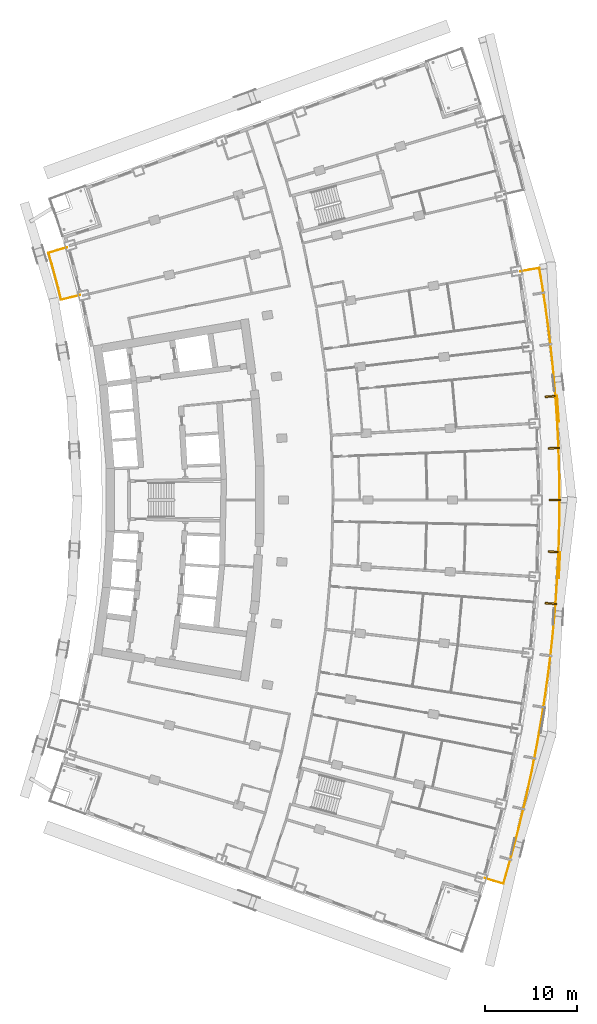
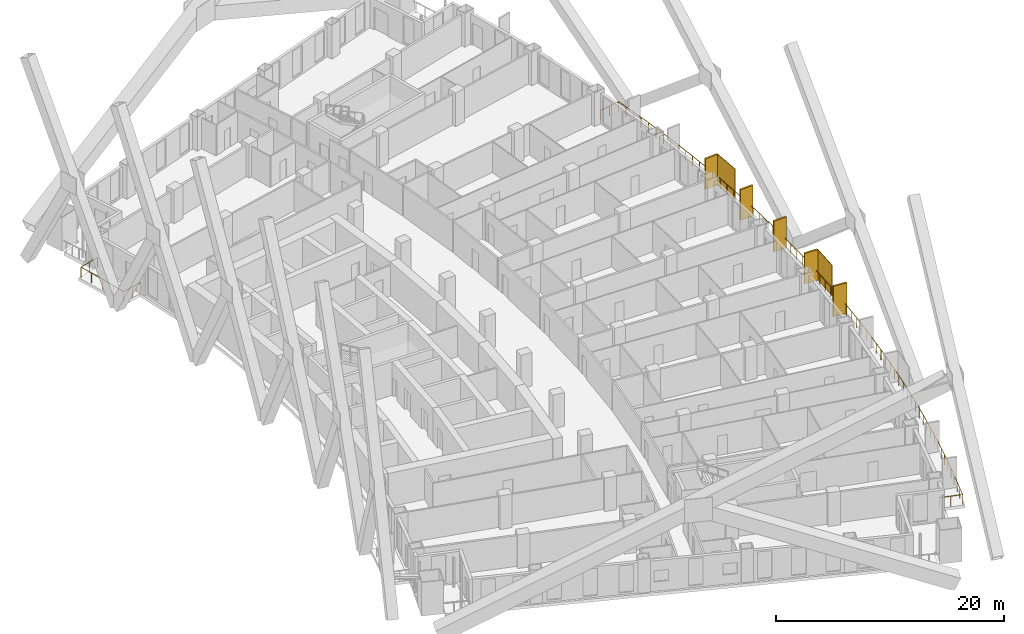
# One storey, part 24 of 25: 7 shading devices, 2 railings.
"""IFC4 building model written with IfcOpenShell, lengths in metres."""

from ifc_helpers import new_model, si_unit, direction, frame, origin, origin_2d, place, context, subcontext, project, spatial, rectangle, extrude, material, layer, layer_set, type_object, element, save


model = new_model("IFC4")

# Units and contexts
model_context = context("Model", 3, precision=1e-05, world=origin(), true_north=direction((0.0, 1.0)))
body_context = subcontext(model_context, "Body", "Model", "MODEL_VIEW")
ifc_project = project(units=[si_unit("LENGTHUNIT", "METRE"), si_unit("AREAUNIT", "SQUARE_METRE"), si_unit("VOLUMEUNIT", "CUBIC_METRE"), si_unit("PLANEANGLEUNIT", "RADIAN"), si_unit("MASSUNIT", "GRAM", prefix="KILO")], contexts=[model_context])

# Site, building, storey
site_placement = place(None, origin())
site = spatial("IfcSite", under=ifc_project, at=site_placement, CompositionType="ELEMENT")
building_placement = place(site_placement, origin())
building = spatial("IfcBuilding", under=site, at=building_placement, Name="Alderwake Tower", CompositionType="ELEMENT")
storey_placement = place(building_placement, frame((0.0, 0.0, 32.0)))
storey = spatial("IfcBuildingStorey", under=building, at=storey_placement, Name="L06", CompositionType="ELEMENT", Elevation=32.0)

# Railings
ifc_material_1 = material(Name="Stainless steel 316 rail and posts", Category="steel")
railing_type = type_object("IfcRailingType", Name="Balcony guard 1100", PredefinedType="GUARDRAIL", material=ifc_material_1)
railing_1_placement = place(storey_placement, frame((57.755126953125, 19.744873046875, 0.0)))
element("IfcRailing", 1, at=railing_1_placement, inside=storey, type_object=railing_type, Name="Guard BF02", PredefinedType="GUARDRAIL", context=body_context, shape_type="SweptSolid", body=[
    extrude(rectangle(XDim=0.048095703125, YDim=0.048095703125, at=origin_2d()), frame((0.0, 0.0, 1.076171875), z_axis=(0.957954179098, -0.286921227429, 0.0), x_axis=(0.286921227429, 0.957954179098, 0.0)), (0.0, 0.0, 1.0), 2.10009765625),
    extrude(rectangle(XDim=0.048095703125, YDim=0.048095703125, at=origin_2d()), frame((2.01171875, -0.6025390625, 1.076171875), z_axis=(0.280171060033, 0.959950090953, 0.0), x_axis=(-0.959950090953, 0.280171060033, 0.0)), (0.0, 0.0, 1.0), 2.02783203125),
    extrude(rectangle(XDim=0.048095703125, YDim=0.048095703125, at=origin_2d()), frame((2.579833984375, 1.343994140625, 1.076171875), z_axis=(0.266542966144, 0.963823037284, 0.0), x_axis=(-0.963823037284, 0.266542966144, 0.0)), (0.0, 0.0, 1.0), 2.127685546875),
    extrude(rectangle(XDim=0.048095703125, YDim=0.048095703125, at=origin_2d()), frame((3.14697265625, 3.394775390625, 1.076171875), z_axis=(0.252459268242, 0.967607522645, 0.0), x_axis=(-0.967607522645, 0.252459268242, 0.0)), (0.0, 0.0, 1.0), 2.12744140625),
    extrude(rectangle(XDim=0.048095703125, YDim=0.048095703125, at=origin_2d()), frame((3.68408203125, 5.453369140625, 1.076171875), z_axis=(0.238321589678, 0.971186295153, 0.0), x_axis=(-0.971186295153, 0.238321589678, 0.0)), (0.0, 0.0, 1.0), 2.127685546875),
    extrude(rectangle(XDim=0.048095703125, YDim=0.048095703125, at=origin_2d()), frame((4.191162109375, 7.519775390625, 1.076171875), z_axis=(0.22408012989, 0.974570723646, 0.0), x_axis=(-0.974570723646, 0.22408012989, 0.0)), (0.0, 0.0, 1.0), 2.1279296875),
    extrude(rectangle(XDim=0.048095703125, YDim=0.048095703125, at=origin_2d()), frame((4.66796875, 9.593505859375, 1.076171875), z_axis=(0.209866030644, 0.977730151515, 0.0), x_axis=(-0.977730151515, 0.209866030644, 0.0)), (0.0, 0.0, 1.0), 2.127685546875),
    extrude(rectangle(XDim=0.048095703125, YDim=0.048095703125, at=origin_2d()), frame((5.114501953125, 11.673828125, 1.076171875), z_axis=(0.195652690442, 0.980673250743, 0.0), x_axis=(-0.980673250743, 0.195652690442, 0.0)), (0.0, 0.0, 1.0), 2.12744140625),
    extrude(rectangle(XDim=0.048095703125, YDim=0.048095703125, at=origin_2d()), frame((5.53076171875, 13.76025390625, 1.076171875), z_axis=(0.1812880033, 0.98343004828, 0.0), x_axis=(-0.98343004828, 0.1812880033, 0.0)), (0.0, 0.0, 1.0), 2.127685546875),
    extrude(rectangle(XDim=0.048095703125, YDim=0.048095703125, at=origin_2d()), frame((5.91650390625, 15.852783203125, 1.076171875), z_axis=(0.166947539814, 0.985965779807, 0.0), x_axis=(-0.985965779807, 0.166947539814, 0.0)), (0.0, 0.0, 1.0), 2.127685546875),
    extrude(rectangle(XDim=0.048095703125, YDim=0.048095703125, at=origin_2d()), frame((6.271728515625, 17.95068359375, 1.076171875), z_axis=(0.152496916834, 0.988303946343, 0.0), x_axis=(-0.988303946343, 0.152496916834, 0.0)), (0.0, 0.0, 1.0), 2.127685546875),
    extrude(rectangle(XDim=0.048095703125, YDim=0.048095703125, at=origin_2d()), frame((6.59619140625, 20.053466796875, 1.076171875), z_axis=(0.138046822125, 0.990425703877, 0.0), x_axis=(-0.990425703877, 0.138046822125, 0.0)), (0.0, 0.0, 1.0), 2.12744140625),
    extrude(rectangle(XDim=0.048095703125, YDim=0.048095703125, at=origin_2d()), frame((6.889892578125, 22.16064453125, 1.076171875), z_axis=(0.123695786423, 0.992320186442, 0.0), x_axis=(-0.992320186442, 0.123695786423, 0.0)), (0.0, 0.0, 1.0), 2.127685546875),
    extrude(rectangle(XDim=0.048095703125, YDim=0.048095703125, at=origin_2d()), frame((7.153076171875, 24.27197265625, 1.076171875), z_axis=(0.109121667916, 0.994028400797, 0.0), x_axis=(-0.994028400797, 0.109121667916, 0.0)), (0.0, 0.0, 1.0), 2.127685546875),
    extrude(rectangle(XDim=0.048095703125, YDim=0.048095703125, at=origin_2d()), frame((7.38525390625, 26.386962890625, 1.076171875), z_axis=(0.094662891104, 0.995509385716, 0.0), x_axis=(-0.995509385716, 0.094662891104, 0.0)), (0.0, 0.0, 1.0), 2.127685546875),
    extrude(rectangle(XDim=0.048095703125, YDim=0.048095703125, at=origin_2d()), frame((7.586669921875, 28.505126953125, 1.076171875), z_axis=(0.080091823172, 0.99678748982, 0.0), x_axis=(-0.99678748982, 0.080091823172, 0.0)), (0.0, 0.0, 1.0), 2.127685546875),
    extrude(rectangle(XDim=0.048095703125, YDim=0.048095703125, at=origin_2d()), frame((7.757080078125, 30.6259765625, 1.076171875), z_axis=(0.065635530774, 0.997843663657, 0.0), x_axis=(-0.997843663657, 0.065635530774, 0.0)), (0.0, 0.0, 1.0), 2.127685546875),
    extrude(rectangle(XDim=0.048095703125, YDim=0.048095703125, at=origin_2d()), frame((7.896728515625, 32.7490234375, 1.076171875), z_axis=(0.051059231835, 0.998695626727, 0.0), x_axis=(-0.998695626727, 0.051059231835, 0.0)), (0.0, 0.0, 1.0), 2.127685546875),
    extrude(rectangle(XDim=0.048095703125, YDim=0.048095703125, at=origin_2d()), frame((8.00537109375, 34.8740234375, 1.076171875), z_axis=(0.036375038735, 0.999338209295, 0.0), x_axis=(-0.999338209295, 0.036375038735, 0.0)), (0.0, 0.0, 1.0), 2.127685546875),
    extrude(rectangle(XDim=0.048095703125, YDim=0.048095703125, at=origin_2d()), frame((8.082763671875, 37.000244140625, 1.076171875), z_axis=(0.021916001925, 0.999759815586, 0.0), x_axis=(-0.999759815586, 0.021916001925, 0.0)), (0.0, 0.0, 1.0), 2.127685546875),
    extrude(rectangle(XDim=0.048095703125, YDim=0.048095703125, at=origin_2d()), frame((8.12939453125, 39.12744140625, 1.076171875), z_axis=(0.007228726789, 0.999973872413, 0.0), x_axis=(-0.999973872413, 0.007228726789, 0.0)), (0.0, 0.0, 1.0), 2.127685546875),
    extrude(rectangle(XDim=0.048095703125, YDim=0.048095703125, at=origin_2d()), frame((8.144775390625, 41.255126953125, 1.076171875), z_axis=(-0.007228726789, 0.999973872413, 0.0), x_axis=(-0.999973872413, -0.007228726789, 0.0)), (0.0, 0.0, 1.0), 2.127685546875),
    extrude(rectangle(XDim=0.048095703125, YDim=0.048095703125, at=origin_2d()), frame((8.12939453125, 43.3828125, 1.076171875), z_axis=(-0.021916001925, 0.999759815586, 0.0), x_axis=(-0.999759815586, -0.021916001925, 0.0)), (0.0, 0.0, 1.0), 2.127685546875),
    extrude(rectangle(XDim=0.048095703125, YDim=0.048095703125, at=origin_2d()), frame((8.082763671875, 45.510009765625, 1.076171875), z_axis=(-0.036375038735, 0.999338209295, 0.0), x_axis=(-0.999338209295, -0.036375038735, 0.0)), (0.0, 0.0, 1.0), 2.127685546875),
    extrude(rectangle(XDim=0.048095703125, YDim=0.048095703125, at=origin_2d()), frame((8.00537109375, 47.63623046875, 1.076171875), z_axis=(-0.051059231835, 0.998695626727, 0.0), x_axis=(-0.998695626727, -0.051059231835, 0.0)), (0.0, 0.0, 1.0), 2.127685546875),
    extrude(rectangle(XDim=0.048095703125, YDim=0.048095703125, at=origin_2d()), frame((7.896728515625, 49.76123046875, 1.076171875), z_axis=(-0.065635530774, 0.997843663657, 0.0), x_axis=(-0.997843663657, -0.065635530774, 0.0)), (0.0, 0.0, 1.0), 2.127685546875),
    extrude(rectangle(XDim=0.048095703125, YDim=0.048095703125, at=origin_2d()), frame((7.757080078125, 51.88427734375, 1.076171875), z_axis=(-0.080091823172, 0.99678748982, 0.0), x_axis=(-0.99678748982, -0.080091823172, 0.0)), (0.0, 0.0, 1.0), 2.127685546875),
    extrude(rectangle(XDim=0.048095703125, YDim=0.048095703125, at=origin_2d()), frame((7.586669921875, 54.005126953125, 1.076171875), z_axis=(-0.094662891104, 0.995509385716, 0.0), x_axis=(-0.995509385716, -0.094662891104, 0.0)), (0.0, 0.0, 1.0), 2.127685546875),
    extrude(rectangle(XDim=0.048095703125, YDim=0.048095703125, at=origin_2d()), frame((7.38525390625, 56.123291015625, 1.076171875), z_axis=(-0.109121667916, 0.994028400797, 0.0), x_axis=(-0.994028400797, -0.109121667916, 0.0)), (0.0, 0.0, 1.0), 2.127685546875),
    extrude(rectangle(XDim=0.048095703125, YDim=0.048095703125, at=origin_2d()), frame((7.153076171875, 58.23828125, 1.076171875), z_axis=(-0.123695786423, 0.992320186442, 0.0), x_axis=(-0.992320186442, -0.123695786423, 0.0)), (0.0, 0.0, 1.0), 2.127685546875),
    extrude(rectangle(XDim=0.048095703125, YDim=0.048095703125, at=origin_2d()), frame((6.889892578125, 60.349609375, 1.076171875), z_axis=(-0.138046822125, 0.990425703877, 0.0), x_axis=(-0.990425703877, -0.138046822125, 0.0)), (0.0, 0.0, 1.0), 2.12744140625),
    extrude(rectangle(XDim=0.048095703125, YDim=0.048095703125, at=origin_2d()), frame((6.59619140625, 62.456787109375, 1.076171875), z_axis=(-0.152496916834, 0.988303946343, 0.0), x_axis=(-0.988303946343, -0.152496916834, 0.0)), (0.0, 0.0, 1.0), 2.127685546875),
    extrude(rectangle(XDim=0.048095703125, YDim=0.048095703125, at=origin_2d()), frame((6.271728515625, 64.5595703125, 1.076171875), z_axis=(-0.166624216453, 0.986020471639, 0.0), x_axis=(-0.986020471639, -0.166624216453, 0.0)), (0.0, 0.0, 1.0), 2.02783203125),
    extrude(rectangle(XDim=0.048095703125, YDim=0.048095703125, at=origin_2d()), frame((5.933837890625, 66.55908203125, 1.076171875), z_axis=(-0.984840855066, -0.173460341844, 0.0), x_axis=(0.173460341844, -0.984840855066, 0.0)), (0.0, 0.0, 1.0), 2.099853515625),
    extrude(rectangle(XDim=0.0419921875, YDim=0.0419921875, at=origin_2d()), frame((0.0, 0.0, 0.0), z_axis=(0.0, 0.0, 1.0), x_axis=(0.957954179098, -0.286921227429, 0.0)), (0.0, 0.0, 1.0), 1.052001953125),
    extrude(rectangle(XDim=0.0419921875, YDim=0.0419921875, at=origin_2d()), frame((1.005859375, -0.30126953125, 0.0), z_axis=(0.0, 0.0, 1.0), x_axis=(0.957954179098, -0.286921227429, 0.0)), (0.0, 0.0, 1.0), 1.052001953125),
    extrude(rectangle(XDim=0.0419921875, YDim=0.0419921875, at=origin_2d()), frame((2.01171875, -0.6025390625, 0.0), z_axis=(0.0, 0.0, 1.0), x_axis=(0.280171060033, 0.959950090953, 0.0)), (0.0, 0.0, 1.0), 1.052001953125),
    extrude(rectangle(XDim=0.0419921875, YDim=0.0419921875, at=origin_2d()), frame((2.2958984375, 0.37060546875, 0.0), z_axis=(0.0, 0.0, 1.0), x_axis=(0.280171060033, 0.959950090953, 0.0)), (0.0, 0.0, 1.0), 1.052001953125),
    extrude(rectangle(XDim=0.0419921875, YDim=0.0419921875, at=origin_2d()), frame((2.579833984375, 1.343994140625, 0.0), z_axis=(0.0, 0.0, 1.0), x_axis=(0.266542966144, 0.963823037284, 0.0)), (0.0, 0.0, 1.0), 1.052001953125),
    extrude(rectangle(XDim=0.0419921875, YDim=0.0419921875, at=origin_2d()), frame((2.86328125, 2.369384765625, 0.0), z_axis=(0.0, 0.0, 1.0), x_axis=(0.266542966144, 0.963823037284, 0.0)), (0.0, 0.0, 1.0), 1.052001953125),
    extrude(rectangle(XDim=0.0419921875, YDim=0.0419921875, at=origin_2d()), frame((3.14697265625, 3.394775390625, 0.0), z_axis=(0.0, 0.0, 1.0), x_axis=(0.252459268242, 0.967607522645, 0.0)), (0.0, 0.0, 1.0), 1.052001953125),
    extrude(rectangle(XDim=0.0419921875, YDim=0.0419921875, at=origin_2d()), frame((3.41552734375, 4.424072265625, 0.0), z_axis=(0.0, 0.0, 1.0), x_axis=(0.252459268242, 0.967607522645, 0.0)), (0.0, 0.0, 1.0), 1.052001953125),
    extrude(rectangle(XDim=0.0419921875, YDim=0.0419921875, at=origin_2d()), frame((3.68408203125, 5.453369140625, 0.0), z_axis=(0.0, 0.0, 1.0), x_axis=(0.238321589678, 0.971186295153, 0.0)), (0.0, 0.0, 1.0), 1.052001953125),
    extrude(rectangle(XDim=0.0419921875, YDim=0.0419921875, at=origin_2d()), frame((3.9375, 6.486572265625, 0.0), z_axis=(0.0, 0.0, 1.0), x_axis=(0.238321589678, 0.971186295153, 0.0)), (0.0, 0.0, 1.0), 1.052001953125),
    extrude(rectangle(XDim=0.0419921875, YDim=0.0419921875, at=origin_2d()), frame((4.191162109375, 7.519775390625, 0.0), z_axis=(0.0, 0.0, 1.0), x_axis=(0.22408012989, 0.974570723646, 0.0)), (0.0, 0.0, 1.0), 1.052001953125),
    extrude(rectangle(XDim=0.0419921875, YDim=0.0419921875, at=origin_2d()), frame((4.4296875, 8.556640625, 0.0), z_axis=(0.0, 0.0, 1.0), x_axis=(0.22408012989, 0.974570723646, 0.0)), (0.0, 0.0, 1.0), 1.052001953125),
    extrude(rectangle(XDim=0.0419921875, YDim=0.0419921875, at=origin_2d()), frame((4.66796875, 9.593505859375, 0.0), z_axis=(0.0, 0.0, 1.0), x_axis=(0.209866030644, 0.977730151515, 0.0)), (0.0, 0.0, 1.0), 1.052001953125),
    extrude(rectangle(XDim=0.0419921875, YDim=0.0419921875, at=origin_2d()), frame((4.89111328125, 10.6337890625, 0.0), z_axis=(0.0, 0.0, 1.0), x_axis=(0.209866030644, 0.977730151515, 0.0)), (0.0, 0.0, 1.0), 1.052001953125),
    extrude(rectangle(XDim=0.0419921875, YDim=0.0419921875, at=origin_2d()), frame((5.114501953125, 11.673828125, 0.0), z_axis=(0.0, 0.0, 1.0), x_axis=(0.195652690442, 0.980673250743, 0.0)), (0.0, 0.0, 1.0), 1.052001953125),
    extrude(rectangle(XDim=0.0419921875, YDim=0.0419921875, at=origin_2d()), frame((5.32275390625, 12.717041015625, 0.0), z_axis=(0.0, 0.0, 1.0), x_axis=(0.195652690442, 0.980673250743, 0.0)), (0.0, 0.0, 1.0), 1.052001953125),
    extrude(rectangle(XDim=0.0419921875, YDim=0.0419921875, at=origin_2d()), frame((5.53076171875, 13.76025390625, 0.0), z_axis=(0.0, 0.0, 1.0), x_axis=(0.1812880033, 0.98343004828, 0.0)), (0.0, 0.0, 1.0), 1.052001953125),
    extrude(rectangle(XDim=0.0419921875, YDim=0.0419921875, at=origin_2d()), frame((5.7236328125, 14.806640625, 0.0), z_axis=(0.0, 0.0, 1.0), x_axis=(0.1812880033, 0.98343004828, 0.0)), (0.0, 0.0, 1.0), 1.052001953125),
    extrude(rectangle(XDim=0.0419921875, YDim=0.0419921875, at=origin_2d()), frame((5.91650390625, 15.852783203125, 0.0), z_axis=(0.0, 0.0, 1.0), x_axis=(0.166947539814, 0.985965779807, 0.0)), (0.0, 0.0, 1.0), 1.052001953125),
    extrude(rectangle(XDim=0.0419921875, YDim=0.0419921875, at=origin_2d()), frame((6.09423828125, 16.90185546875, 0.0), z_axis=(0.0, 0.0, 1.0), x_axis=(0.166947539814, 0.985965779807, 0.0)), (0.0, 0.0, 1.0), 1.052001953125),
    extrude(rectangle(XDim=0.0419921875, YDim=0.0419921875, at=origin_2d()), frame((6.271728515625, 17.95068359375, 0.0), z_axis=(0.0, 0.0, 1.0), x_axis=(0.152496916834, 0.988303946343, 0.0)), (0.0, 0.0, 1.0), 1.052001953125),
    extrude(rectangle(XDim=0.0419921875, YDim=0.0419921875, at=origin_2d()), frame((6.43408203125, 19.001953125, 0.0), z_axis=(0.0, 0.0, 1.0), x_axis=(0.152496916834, 0.988303946343, 0.0)), (0.0, 0.0, 1.0), 1.052001953125),
    extrude(rectangle(XDim=0.0419921875, YDim=0.0419921875, at=origin_2d()), frame((6.59619140625, 20.053466796875, 0.0), z_axis=(0.0, 0.0, 1.0), x_axis=(0.138046822125, 0.990425703877, 0.0)), (0.0, 0.0, 1.0), 1.052001953125),
    extrude(rectangle(XDim=0.0419921875, YDim=0.0419921875, at=origin_2d()), frame((6.7431640625, 21.10693359375, 0.0), z_axis=(0.0, 0.0, 1.0), x_axis=(0.138046822125, 0.990425703877, 0.0)), (0.0, 0.0, 1.0), 1.052001953125),
    extrude(rectangle(XDim=0.0419921875, YDim=0.0419921875, at=origin_2d()), frame((6.889892578125, 22.16064453125, 0.0), z_axis=(0.0, 0.0, 1.0), x_axis=(0.123695786423, 0.992320186442, 0.0)), (0.0, 0.0, 1.0), 1.052001953125),
    extrude(rectangle(XDim=0.0419921875, YDim=0.0419921875, at=origin_2d()), frame((7.021484375, 23.21630859375, 0.0), z_axis=(0.0, 0.0, 1.0), x_axis=(0.123695786423, 0.992320186442, 0.0)), (0.0, 0.0, 1.0), 1.052001953125),
    extrude(rectangle(XDim=0.0419921875, YDim=0.0419921875, at=origin_2d()), frame((7.153076171875, 24.27197265625, 0.0), z_axis=(0.0, 0.0, 1.0), x_axis=(0.109121667916, 0.994028400797, 0.0)), (0.0, 0.0, 1.0), 1.052001953125),
    extrude(rectangle(XDim=0.0419921875, YDim=0.0419921875, at=origin_2d()), frame((7.26904296875, 25.32958984375, 0.0), z_axis=(0.0, 0.0, 1.0), x_axis=(0.109121667916, 0.994028400797, 0.0)), (0.0, 0.0, 1.0), 1.052001953125),
    extrude(rectangle(XDim=0.0419921875, YDim=0.0419921875, at=origin_2d()), frame((7.38525390625, 26.386962890625, 0.0), z_axis=(0.0, 0.0, 1.0), x_axis=(0.094662891104, 0.995509385716, 0.0)), (0.0, 0.0, 1.0), 1.052001953125),
    extrude(rectangle(XDim=0.0419921875, YDim=0.0419921875, at=origin_2d()), frame((7.48583984375, 27.446044921875, 0.0), z_axis=(0.0, 0.0, 1.0), x_axis=(0.094662891104, 0.995509385716, 0.0)), (0.0, 0.0, 1.0), 1.052001953125),
    extrude(rectangle(XDim=0.0419921875, YDim=0.0419921875, at=origin_2d()), frame((7.586669921875, 28.505126953125, 0.0), z_axis=(0.0, 0.0, 1.0), x_axis=(0.080091823172, 0.99678748982, 0.0)), (0.0, 0.0, 1.0), 1.052001953125),
    extrude(rectangle(XDim=0.0419921875, YDim=0.0419921875, at=origin_2d()), frame((7.671875, 29.5654296875, 0.0), z_axis=(0.0, 0.0, 1.0), x_axis=(0.080091823172, 0.99678748982, 0.0)), (0.0, 0.0, 1.0), 1.052001953125),
    extrude(rectangle(XDim=0.0419921875, YDim=0.0419921875, at=origin_2d()), frame((7.757080078125, 30.6259765625, 0.0), z_axis=(0.0, 0.0, 1.0), x_axis=(0.065635530774, 0.997843663657, 0.0)), (0.0, 0.0, 1.0), 1.052001953125),
    extrude(rectangle(XDim=0.0419921875, YDim=0.0419921875, at=origin_2d()), frame((7.826904296875, 31.6875, 0.0), z_axis=(0.0, 0.0, 1.0), x_axis=(0.065635530774, 0.997843663657, 0.0)), (0.0, 0.0, 1.0), 1.052001953125),
    extrude(rectangle(XDim=0.0419921875, YDim=0.0419921875, at=origin_2d()), frame((7.896728515625, 32.7490234375, 0.0), z_axis=(0.0, 0.0, 1.0), x_axis=(0.051059231835, 0.998695626727, 0.0)), (0.0, 0.0, 1.0), 1.052001953125),
    extrude(rectangle(XDim=0.0419921875, YDim=0.0419921875, at=origin_2d()), frame((7.951171875, 33.8115234375, 0.0), z_axis=(0.0, 0.0, 1.0), x_axis=(0.051059231835, 0.998695626727, 0.0)), (0.0, 0.0, 1.0), 1.052001953125),
    extrude(rectangle(XDim=0.0419921875, YDim=0.0419921875, at=origin_2d()), frame((8.00537109375, 34.8740234375, 0.0), z_axis=(0.0, 0.0, 1.0), x_axis=(0.036375038735, 0.999338209295, 0.0)), (0.0, 0.0, 1.0), 1.052001953125),
    extrude(rectangle(XDim=0.0419921875, YDim=0.0419921875, at=origin_2d()), frame((8.0439453125, 35.93701171875, 0.0), z_axis=(0.0, 0.0, 1.0), x_axis=(0.036375038735, 0.999338209295, 0.0)), (0.0, 0.0, 1.0), 1.052001953125),
    extrude(rectangle(XDim=0.0419921875, YDim=0.0419921875, at=origin_2d()), frame((8.082763671875, 37.000244140625, 0.0), z_axis=(0.0, 0.0, 1.0), x_axis=(0.021916001925, 0.999759815586, 0.0)), (0.0, 0.0, 1.0), 1.052001953125),
    extrude(rectangle(XDim=0.0419921875, YDim=0.0419921875, at=origin_2d()), frame((8.10595703125, 38.06396484375, 0.0), z_axis=(0.0, 0.0, 1.0), x_axis=(0.021916001925, 0.999759815586, 0.0)), (0.0, 0.0, 1.0), 1.052001953125),
    extrude(rectangle(XDim=0.0419921875, YDim=0.0419921875, at=origin_2d()), frame((8.12939453125, 39.12744140625, 0.0), z_axis=(0.0, 0.0, 1.0), x_axis=(0.007228726789, 0.999973872413, 0.0)), (0.0, 0.0, 1.0), 1.052001953125),
    extrude(rectangle(XDim=0.0419921875, YDim=0.0419921875, at=origin_2d()), frame((8.13720703125, 40.19140625, 0.0), z_axis=(0.0, 0.0, 1.0), x_axis=(0.007228726789, 0.999973872413, 0.0)), (0.0, 0.0, 1.0), 1.052001953125),
    extrude(rectangle(XDim=0.0419921875, YDim=0.0419921875, at=origin_2d()), frame((8.144775390625, 41.255126953125, 0.0), z_axis=(0.0, 0.0, 1.0), x_axis=(-0.007228726789, 0.999973872413, 0.0)), (0.0, 0.0, 1.0), 1.052001953125),
    extrude(rectangle(XDim=0.0419921875, YDim=0.0419921875, at=origin_2d()), frame((8.13720703125, 42.31884765625, 0.0), z_axis=(0.0, 0.0, 1.0), x_axis=(-0.007228726789, 0.999973872413, 0.0)), (0.0, 0.0, 1.0), 1.052001953125),
    extrude(rectangle(XDim=0.0419921875, YDim=0.0419921875, at=origin_2d()), frame((8.12939453125, 43.3828125, 0.0), z_axis=(0.0, 0.0, 1.0), x_axis=(-0.021916001925, 0.999759815586, 0.0)), (0.0, 0.0, 1.0), 1.052001953125),
    extrude(rectangle(XDim=0.0419921875, YDim=0.0419921875, at=origin_2d()), frame((8.10595703125, 44.4462890625, 0.0), z_axis=(0.0, 0.0, 1.0), x_axis=(-0.021916001925, 0.999759815586, 0.0)), (0.0, 0.0, 1.0), 1.052001953125),
    extrude(rectangle(XDim=0.0419921875, YDim=0.0419921875, at=origin_2d()), frame((8.082763671875, 45.510009765625, 0.0), z_axis=(0.0, 0.0, 1.0), x_axis=(-0.036375038735, 0.999338209295, 0.0)), (0.0, 0.0, 1.0), 1.052001953125),
    extrude(rectangle(XDim=0.0419921875, YDim=0.0419921875, at=origin_2d()), frame((8.0439453125, 46.5732421875, 0.0), z_axis=(0.0, 0.0, 1.0), x_axis=(-0.036375038735, 0.999338209295, 0.0)), (0.0, 0.0, 1.0), 1.052001953125),
    extrude(rectangle(XDim=0.0419921875, YDim=0.0419921875, at=origin_2d()), frame((8.00537109375, 47.63623046875, 0.0), z_axis=(0.0, 0.0, 1.0), x_axis=(-0.051059231835, 0.998695626727, 0.0)), (0.0, 0.0, 1.0), 1.052001953125),
    extrude(rectangle(XDim=0.0419921875, YDim=0.0419921875, at=origin_2d()), frame((7.951171875, 48.69873046875, 0.0), z_axis=(0.0, 0.0, 1.0), x_axis=(-0.051059231835, 0.998695626727, 0.0)), (0.0, 0.0, 1.0), 1.052001953125),
    extrude(rectangle(XDim=0.0419921875, YDim=0.0419921875, at=origin_2d()), frame((7.896728515625, 49.76123046875, 0.0), z_axis=(0.0, 0.0, 1.0), x_axis=(-0.065635530774, 0.997843663657, 0.0)), (0.0, 0.0, 1.0), 1.052001953125),
    extrude(rectangle(XDim=0.0419921875, YDim=0.0419921875, at=origin_2d()), frame((7.826904296875, 50.82275390625, 0.0), z_axis=(0.0, 0.0, 1.0), x_axis=(-0.065635530774, 0.997843663657, 0.0)), (0.0, 0.0, 1.0), 1.052001953125),
    extrude(rectangle(XDim=0.0419921875, YDim=0.0419921875, at=origin_2d()), frame((7.757080078125, 51.88427734375, 0.0), z_axis=(0.0, 0.0, 1.0), x_axis=(-0.080091823172, 0.99678748982, 0.0)), (0.0, 0.0, 1.0), 1.052001953125),
    extrude(rectangle(XDim=0.0419921875, YDim=0.0419921875, at=origin_2d()), frame((7.671875, 52.94482421875, 0.0), z_axis=(0.0, 0.0, 1.0), x_axis=(-0.080091823172, 0.99678748982, 0.0)), (0.0, 0.0, 1.0), 1.052001953125),
    extrude(rectangle(XDim=0.0419921875, YDim=0.0419921875, at=origin_2d()), frame((7.586669921875, 54.005126953125, 0.0), z_axis=(0.0, 0.0, 1.0), x_axis=(-0.094662891104, 0.995509385716, 0.0)), (0.0, 0.0, 1.0), 1.052001953125),
    extrude(rectangle(XDim=0.0419921875, YDim=0.0419921875, at=origin_2d()), frame((7.48583984375, 55.064208984375, 0.0), z_axis=(0.0, 0.0, 1.0), x_axis=(-0.094662891104, 0.995509385716, 0.0)), (0.0, 0.0, 1.0), 1.052001953125),
    extrude(rectangle(XDim=0.0419921875, YDim=0.0419921875, at=origin_2d()), frame((7.38525390625, 56.123291015625, 0.0), z_axis=(0.0, 0.0, 1.0), x_axis=(-0.109121667916, 0.994028400797, 0.0)), (0.0, 0.0, 1.0), 1.052001953125),
    extrude(rectangle(XDim=0.0419921875, YDim=0.0419921875, at=origin_2d()), frame((7.26904296875, 57.1806640625, 0.0), z_axis=(0.0, 0.0, 1.0), x_axis=(-0.109121667916, 0.994028400797, 0.0)), (0.0, 0.0, 1.0), 1.052001953125),
    extrude(rectangle(XDim=0.0419921875, YDim=0.0419921875, at=origin_2d()), frame((7.153076171875, 58.23828125, 0.0), z_axis=(0.0, 0.0, 1.0), x_axis=(-0.123695786423, 0.992320186442, 0.0)), (0.0, 0.0, 1.0), 1.052001953125),
    extrude(rectangle(XDim=0.0419921875, YDim=0.0419921875, at=origin_2d()), frame((7.021484375, 59.2939453125, 0.0), z_axis=(0.0, 0.0, 1.0), x_axis=(-0.123695786423, 0.992320186442, 0.0)), (0.0, 0.0, 1.0), 1.052001953125),
    extrude(rectangle(XDim=0.0419921875, YDim=0.0419921875, at=origin_2d()), frame((6.889892578125, 60.349609375, 0.0), z_axis=(0.0, 0.0, 1.0), x_axis=(-0.138046822125, 0.990425703877, 0.0)), (0.0, 0.0, 1.0), 1.052001953125),
    extrude(rectangle(XDim=0.0419921875, YDim=0.0419921875, at=origin_2d()), frame((6.7431640625, 61.4033203125, 0.0), z_axis=(0.0, 0.0, 1.0), x_axis=(-0.138046822125, 0.990425703877, 0.0)), (0.0, 0.0, 1.0), 1.052001953125),
    extrude(rectangle(XDim=0.0419921875, YDim=0.0419921875, at=origin_2d()), frame((6.59619140625, 62.456787109375, 0.0), z_axis=(0.0, 0.0, 1.0), x_axis=(-0.152496916834, 0.988303946343, 0.0)), (0.0, 0.0, 1.0), 1.052001953125),
    extrude(rectangle(XDim=0.0419921875, YDim=0.0419921875, at=origin_2d()), frame((6.43408203125, 63.50830078125, 0.0), z_axis=(0.0, 0.0, 1.0), x_axis=(-0.152496916834, 0.988303946343, 0.0)), (0.0, 0.0, 1.0), 1.052001953125),
    extrude(rectangle(XDim=0.0419921875, YDim=0.0419921875, at=origin_2d()), frame((6.271728515625, 64.5595703125, 0.0), z_axis=(0.0, 0.0, 1.0), x_axis=(-0.166624216453, 0.986020471639, 0.0)), (0.0, 0.0, 1.0), 1.052001953125),
    extrude(rectangle(XDim=0.0419921875, YDim=0.0419921875, at=origin_2d()), frame((6.102783203125, 65.559326171875, 0.0), z_axis=(0.0, 0.0, 1.0), x_axis=(-0.166624216453, 0.986020471639, 0.0)), (0.0, 0.0, 1.0), 1.052001953125),
    extrude(rectangle(XDim=0.0419921875, YDim=0.0419921875, at=origin_2d()), frame((5.933837890625, 66.55908203125, 0.0), z_axis=(0.0, 0.0, 1.0), x_axis=(-0.984840855066, -0.173460341844, 0.0)), (0.0, 0.0, 1.0), 1.052001953125),
    extrude(rectangle(XDim=0.0419921875, YDim=0.0419921875, at=origin_2d()), frame((4.89990234375, 66.376953125, 0.0), z_axis=(0.0, 0.0, 1.0), x_axis=(-0.984840855066, -0.173460341844, 0.0)), (0.0, 0.0, 1.0), 1.052001953125),
    extrude(rectangle(XDim=0.0419921875, YDim=0.0419921875, at=origin_2d()), frame((3.86572265625, 66.19482421875, 0.0), z_axis=(0.0, 0.0, 1.0), x_axis=(-0.984840855066, -0.173460341844, 0.0)), (0.0, 0.0, 1.0), 1.052001953125),
])
railing_2_placement = place(storey_placement, frame((13.5693359375, 83.343017578125, 0.0)))
element("IfcRailing", 2, at=railing_2_placement, inside=storey, type_object=railing_type, Name="Guard BR11", PredefinedType="GUARDRAIL", context=body_context, shape_type="SweptSolid", body=[
    extrude(rectangle(XDim=0.048095703125, YDim=0.048095703125, at=origin_2d()), frame((0.0, 0.0, 1.076171875), z_axis=(-0.972646310656, -0.232291098337, 0.0), x_axis=(0.232291098337, -0.972646310656, 0.0)), (0.0, 0.0, 1.0), 2.099853515625),
    extrude(rectangle(XDim=0.048095703125, YDim=0.048095703125, at=origin_2d()), frame((-2.04248046875, -0.48779296875, 1.076171875), z_axis=(-0.238877101641, 0.971049808358, 0.0), x_axis=(-0.971049808358, -0.238877101641, 0.0)), (0.0, 0.0, 1.0), 1.2724609375),
    extrude(rectangle(XDim=0.048095703125, YDim=0.048095703125, at=origin_2d()), frame((-2.346435546875, 0.747802734375, 1.076171875), z_axis=(-0.252487086228, 0.967600264204, 0.0), x_axis=(-0.967600264204, -0.252487086228, 0.0)), (0.0, 0.0, 1.0), 1.3720703125),
    extrude(rectangle(XDim=0.048095703125, YDim=0.048095703125, at=origin_2d()), frame((-2.69287109375, 2.075439453125, 1.076171875), z_axis=(-0.266487604617, 0.963838345671, 0.0), x_axis=(-0.963838345671, -0.266487604617, 0.0)), (0.0, 0.0, 1.0), 1.372314453125),
    extrude(rectangle(XDim=0.048095703125, YDim=0.048095703125, at=origin_2d()), frame((-3.05859375, 3.398193359375, 1.076171875), z_axis=(-0.279963157487, 0.960010744966, 0.0), x_axis=(-0.960010744966, -0.279963157487, 0.0)), (0.0, 0.0, 1.0), 1.272216796875),
    extrude(rectangle(XDim=0.048095703125, YDim=0.048095703125, at=origin_2d()), frame((-3.414794921875, 4.61962890625, 1.076171875), z_axis=(0.958091458885, 0.286462486918, 0.0), x_axis=(-0.286462486918, 0.958091458885, 0.0)), (0.0, 0.0, 1.0), 2.099853515625),
    extrude(rectangle(XDim=0.0419921875, YDim=0.0419921875, at=origin_2d()), frame((0.0, 0.0, 0.0), z_axis=(0.0, 0.0, 1.0), x_axis=(-0.972646310656, -0.232291098337, 0.0)), (0.0, 0.0, 1.0), 1.052001953125),
    extrude(rectangle(XDim=0.0419921875, YDim=0.0419921875, at=origin_2d()), frame((-1.021240234375, -0.243896484375, 0.0), z_axis=(0.0, 0.0, 1.0), x_axis=(-0.972646310656, -0.232291098337, 0.0)), (0.0, 0.0, 1.0), 1.052001953125),
    extrude(rectangle(XDim=0.0419921875, YDim=0.0419921875, at=origin_2d()), frame((-2.04248046875, -0.48779296875, 0.0), z_axis=(0.0, 0.0, 1.0), x_axis=(-0.238877101641, 0.971049808358, 0.0)), (0.0, 0.0, 1.0), 1.052001953125),
    extrude(rectangle(XDim=0.0419921875, YDim=0.0419921875, at=origin_2d()), frame((-2.346435546875, 0.747802734375, 0.0), z_axis=(0.0, 0.0, 1.0), x_axis=(-0.252487086228, 0.967600264204, 0.0)), (0.0, 0.0, 1.0), 1.052001953125),
    extrude(rectangle(XDim=0.0419921875, YDim=0.0419921875, at=origin_2d()), frame((-2.69287109375, 2.075439453125, 0.0), z_axis=(0.0, 0.0, 1.0), x_axis=(-0.266487604617, 0.963838345671, 0.0)), (0.0, 0.0, 1.0), 1.052001953125),
    extrude(rectangle(XDim=0.0419921875, YDim=0.0419921875, at=origin_2d()), frame((-3.05859375, 3.398193359375, 0.0), z_axis=(0.0, 0.0, 1.0), x_axis=(-0.279963157487, 0.960010744966, 0.0)), (0.0, 0.0, 1.0), 1.052001953125),
    extrude(rectangle(XDim=0.0419921875, YDim=0.0419921875, at=origin_2d()), frame((-3.414794921875, 4.61962890625, 0.0), z_axis=(0.0, 0.0, 1.0), x_axis=(0.958091458885, 0.286462486918, 0.0)), (0.0, 0.0, 1.0), 1.052001953125),
    extrude(rectangle(XDim=0.0419921875, YDim=0.0419921875, at=origin_2d()), frame((-2.40869140625, 4.92041015625, 0.0), z_axis=(0.0, 0.0, 1.0), x_axis=(0.958091458885, 0.286462486918, 0.0)), (0.0, 0.0, 1.0), 1.052001953125),
    extrude(rectangle(XDim=0.0419921875, YDim=0.0419921875, at=origin_2d()), frame((-1.40283203125, 5.22119140625, 0.0), z_axis=(0.0, 0.0, 1.0), x_axis=(0.958091458885, 0.286462486918, 0.0)), (0.0, 0.0, 1.0), 1.052001953125),
])

# Shading devices
ifc_material_2 = material(Name="Bronze anodised aluminium", Category="aluminium")
ifc_layer_1 = layer(ifc_material_2, 0.179931640625)
ifc_layer_set_1 = layer_set([ifc_layer_1], Name="Facade fin 1300")
shading_device_type_1 = type_object("IfcShadingDeviceType", Name="Facade fin 1300", PredefinedType="USERDEFINED", material=ifc_layer_set_1)
for number, where, z_axis, x_axis, name in (
    (3, (64.960205078125, 49.69921875, 0.0), (0.0, 0.0, 1.0), (0.996975122026, -0.077721335943, 0.0), "Fin"),
    (4, (65.2900390625, 55.345458984375, 0.0), (0.0, 0.0, 1.0), (0.999243494356, -0.038890088543, 0.0), "Fin"),
    (5, (65.39990234375, 61.0, 0.0), (0.0, 0.0, 1.0), (1.0, 0.0, 0.0), "Fin"),
    (6, (65.2900390625, 66.654541015625, 0.0), (0.0, 0.0, 1.0), (0.999243494356, 0.038890088543, 0.0), "Fin"),
    (7, (64.960205078125, 72.30078125, 0.0), (0.0, 0.0, 1.0), (0.996975122026, 0.077721335943, 0.0), "Fin"),
):
    element("IfcShadingDevice", number, at=place(storey_placement, frame(where, z_axis=z_axis, x_axis=x_axis)), inside=storey, type_object=shading_device_type_1, Name=name, ObjectType="FIN", PredefinedType="USERDEFINED", context=body_context, shape_type="SweptSolid", body=[
        extrude(rectangle(XDim=1.300048828125, YDim=0.179931640625, at=origin_2d()), origin(), (0.0, 0.0, 1.0), 3.280029296875),
    ])
ifc_material_3 = material(Name="Perforated bronze anodised aluminium", Category="aluminium")
ifc_layer_2 = layer(ifc_material_3, 0.050048828125)
ifc_layer_set_2 = layer_set([ifc_layer_2], Name="Perforated screen panel")
shading_device_type_2 = type_object("IfcShadingDeviceType", Name="Perforated screen panel", PredefinedType="USERDEFINED", material=ifc_layer_set_2)
shading_device_1_placement = place(storey_placement, frame((65.895751953125, 53.90380859375, 0.0), z_axis=(0.0, 0.0, 1.0), x_axis=(0.998819231138, -0.048581308217, 0.0)))
element("IfcShadingDevice", 8, at=shading_device_1_placement, inside=storey, type_object=shading_device_type_2, Name="Screen panel", ObjectType="SCREEN", PredefinedType="USERDEFINED", context=body_context, shape_type="SweptSolid", body=[
    extrude(rectangle(XDim=0.050048828125, YDim=2.833740234375, at=origin_2d()), origin(), (0.0, 0.0, 1.0), 3.280029296875),
])
shading_device_2_placement = place(storey_placement, frame((65.72998046875, 70.932373046875, 0.0), z_axis=(0.0, 0.0, 1.0), x_axis=(0.997685465774, 0.067997877779, 0.0)))
element("IfcShadingDevice", 9, at=shading_device_2_placement, inside=storey, type_object=shading_device_type_2, Name="Screen panel", ObjectType="SCREEN", PredefinedType="USERDEFINED", context=body_context, shape_type="SweptSolid", body=[
    extrude(rectangle(XDim=0.050048828125, YDim=2.848388671875, at=origin_2d()), origin(), (0.0, 0.0, 1.0), 3.280029296875),
])

save(model, "model.ifc")
